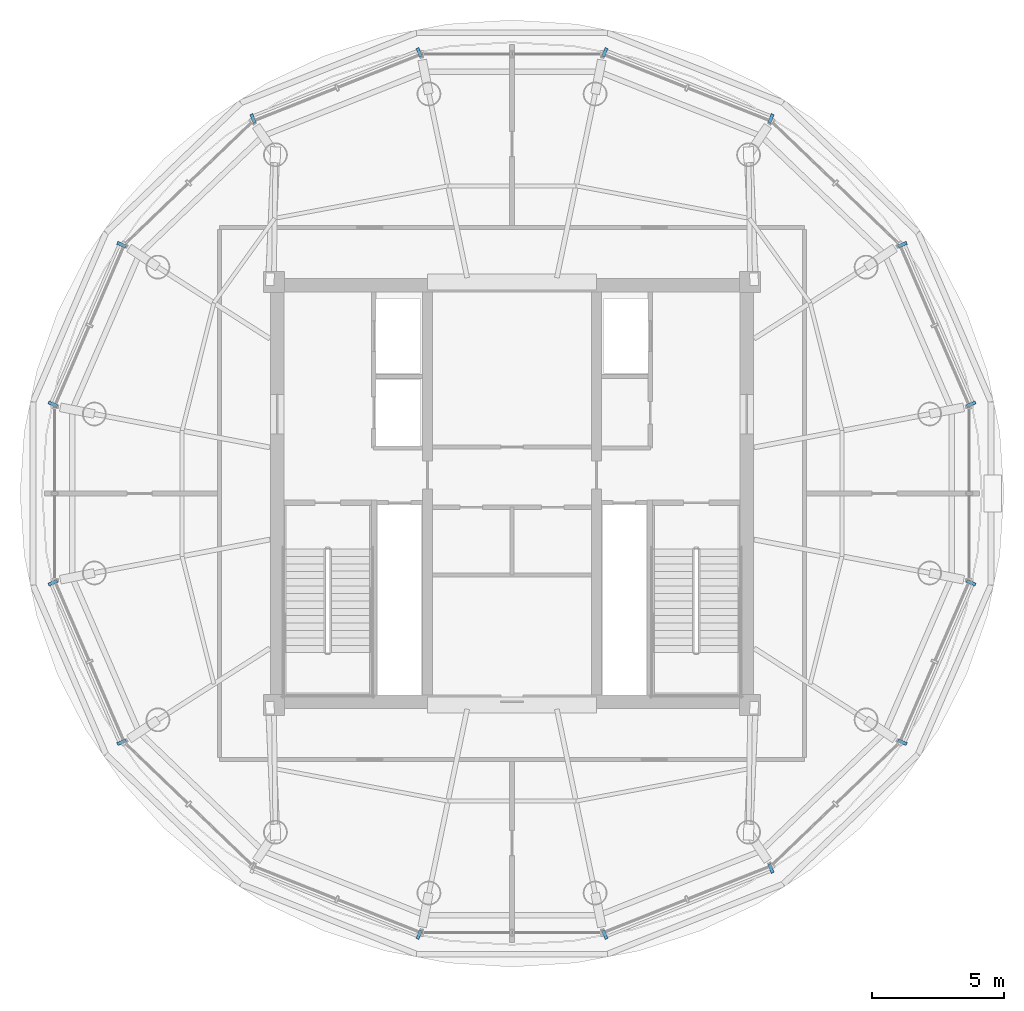
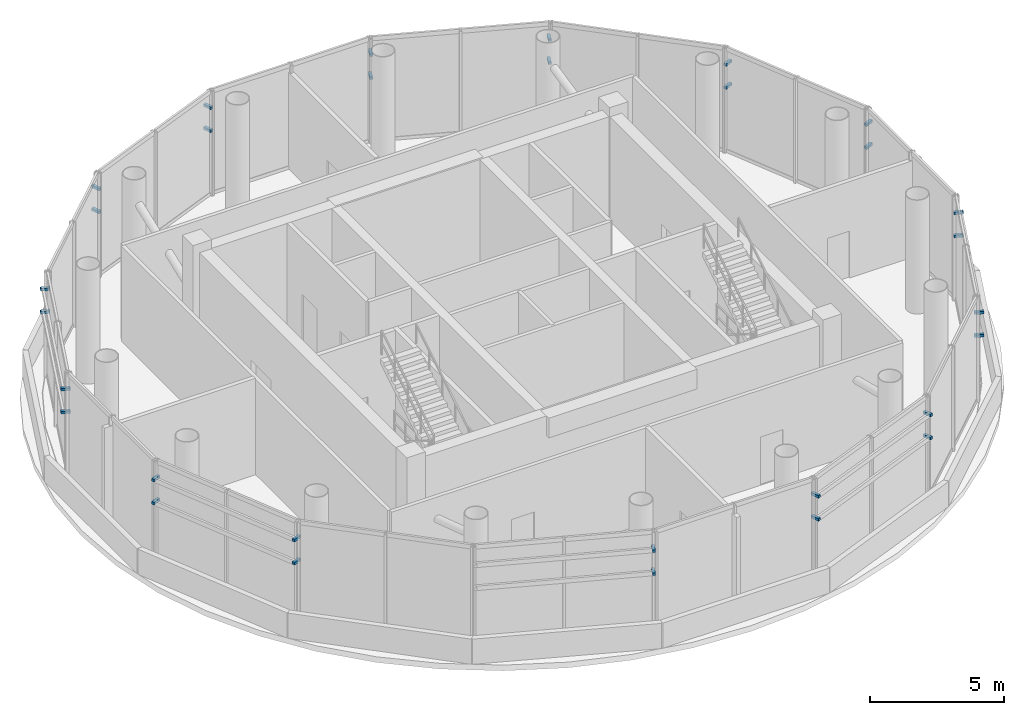
# One storey, part 13 of 15: 30 discrete accessories.
"""IFC4 building model written with IfcOpenShell, lengths in metres."""

import ifcopenshell
import ifcopenshell.guid

model = None  # the IFC model being written
_history = None  # IfcOwnerHistory: only IFC2X3 demands one
_inside = {}  # id of a spatial element -> (the spatial element, [elements in it])
_under = {}  # id of a project, library or spatial element -> (it, [spatial elements below it])
_declared = {}  # id of a project -> (the project, [libraries it declares])
_typed = {}  # id of a type object -> (the type object, [elements of that type])
_made_of = {}  # id of a material, layer set ... -> (it, [elements and type objects made of it])


def new_model(schema):
    """Start an empty IFC model of exactly this schema.

    Asked for "IFC4X3", IfcOpenShell would pick the latest addendum, in which some entities
    have other attributes; the version numbers below select the first issue.
    IFC2X3 requires an IfcOwnerHistory on every rooted entity: one is made here for all.
    """
    global model, _history
    if schema == "IFC4X3":
        model = ifcopenshell.file(schema_version=(4, 3, 0, 0))
    else:
        model = ifcopenshell.file(schema=schema)
    _inside.clear()
    _under.clear()
    _declared.clear()
    _typed.clear()
    _made_of.clear()
    _history = None
    if model.schema == "IFC2X3":
        org = make("IfcOrganization", Name="unknown")
        user = make(
            "IfcPersonAndOrganization",
            ThePerson=make("IfcPerson", FamilyName="unknown"),
            TheOrganization=org,
        )
        app = make(
            "IfcApplication",
            ApplicationDeveloper=org,
            Version="unknown",
            ApplicationFullName="unknown",
            ApplicationIdentifier="unknown",
        )
        _history = make(
            "IfcOwnerHistory",
            OwningUser=user,
            OwningApplication=app,
            ChangeAction="ADDED",
            CreationDate=0,
        )
    return model


def make(cls, **values):
    """One entity of the class cls with the attributes given. An attribute that is None is left unset."""
    return model.create_entity(
        cls, **{name: value for name, value in values.items() if value is not None}
    )


def rooted(cls, **values):
    """An entity with a GlobalId (a new one), such as an element, a storey or a relation."""
    return make(cls, GlobalId=ifcopenshell.guid.new(), OwnerHistory=_history, **values)


def si_unit(unit_type, name, prefix=None):
    """IfcSIUnit, for example si_unit("LENGTHUNIT", "METRE", prefix="MILLI")."""
    return make("IfcSIUnit", UnitType=unit_type, Prefix=prefix, Name=name)


def assignment(units):
    """IfcUnitAssignment: the units of a project."""
    return None if units is None else make("IfcUnitAssignment", Units=units)


def point(xyz):
    """IfcCartesianPoint."""
    return None if xyz is None else make("IfcCartesianPoint", Coordinates=xyz)


def direction(xyz):
    """IfcDirection."""
    return None if xyz is None else make("IfcDirection", DirectionRatios=xyz)


def frame(location, z_axis=None, x_axis=None):
    """IfcAxis2Placement3D, a coordinate frame: its origin and axes. An axis left out is left unset."""
    return make(
        "IfcAxis2Placement3D",
        Location=point(location),
        Axis=direction(z_axis),
        RefDirection=direction(x_axis),
    )


def frame_2d(location, x_axis=None):
    """IfcAxis2Placement2D, a coordinate frame in the plane: its origin and x axis."""
    return make(
        "IfcAxis2Placement2D", Location=point(location), RefDirection=direction(x_axis)
    )


def origin():
    """The frame at (0, 0, 0) with its axes left unset."""
    return frame((0.0, 0.0, 0.0))


def origin_2d():
    """The frame at (0, 0) in the plane with its x axis left unset."""
    return frame_2d((0.0, 0.0))


def place(relative_to, where):
    """IfcLocalPlacement: puts the frame where relative to a parent placement (None: the world)."""
    return make(
        "IfcLocalPlacement", PlacementRelTo=relative_to, RelativePlacement=where
    )


def context(
    kind, dimensions, precision=None, world=None, true_north=None, identifier=None
):
    """IfcGeometricRepresentationContext, for example the 3D "Model" context."""
    return make(
        "IfcGeometricRepresentationContext",
        ContextIdentifier=identifier,
        ContextType=kind,
        CoordinateSpaceDimension=dimensions,
        Precision=precision,
        WorldCoordinateSystem=world,
        TrueNorth=true_north,
    )


def subcontext(parent, identifier, kind, view, scale=None):
    """IfcGeometricRepresentationSubContext, for example "Body" below "Model"."""
    return make(
        "IfcGeometricRepresentationSubContext",
        ContextIdentifier=identifier,
        ContextType=kind,
        ParentContext=parent,
        TargetScale=scale,
        TargetView=view,
    )


def project(units=None, contexts=None):
    """IfcProject with its units and contexts."""
    return rooted(
        "IfcProject",
        Name="project",
        RepresentationContexts=contexts,
        UnitsInContext=assignment(units),
    )


def spatial(cls, under=None, at=None, **own):
    """A site, building, storey or space (cls), placed at a placement, below another one or the project."""
    s = rooted(cls, ObjectPlacement=at, **own)
    if under is not None:
        _under.setdefault(under.id(), (under, []))[1].append(s)
    return s


def profile(cls, at=None, kind="AREA", **sizes):
    """A parametric profile (cls). Its sizes go by their IFC names, for example OverallWidth=200.0."""
    return make(cls, ProfileType=kind, Position=at, **sizes)


def rectangle(**sizes):
    """IfcRectangleProfileDef."""
    return profile("IfcRectangleProfileDef", **sizes)


def extrude(swept, where, along, depth):
    """IfcExtrudedAreaSolid: the profile swept, set in the frame where, extruded along a direction by depth."""
    return make(
        "IfcExtrudedAreaSolid",
        SweptArea=swept,
        Position=where,
        ExtrudedDirection=direction(along),
        Depth=depth,
    )


def shape(context_of_items, identifier, shape_type, items):
    """IfcShapeRepresentation: the items that make up one representation, for example the "Body"."""
    return make(
        "IfcShapeRepresentation",
        ContextOfItems=context_of_items,
        RepresentationIdentifier=identifier,
        RepresentationType=shape_type,
        Items=items,
    )


def source(mapping_origin, context_of_items, identifier, shape_type, items):
    """IfcRepresentationMap: a shape defined once, which mapped items show again and again."""
    return make(
        "IfcRepresentationMap",
        MappingOrigin=mapping_origin,
        MappedRepresentation=shape(context_of_items, identifier, shape_type, items),
    )


def transform(
    local_origin,
    x_axis=None,
    y_axis=None,
    z_axis=None,
    scale=None,
    scale2=None,
    scale3=None,
    uniform=True,
):
    """IfcCartesianTransformationOperator3D, or its non-uniform kind. x_axis, y_axis, z_axis: its Axis1, 2, 3."""
    if uniform:
        return make(
            "IfcCartesianTransformationOperator3D",
            Axis1=direction(x_axis),
            Axis2=direction(y_axis),
            LocalOrigin=point(local_origin),
            Scale=scale,
            Axis3=direction(z_axis),
        )
    return make(
        "IfcCartesianTransformationOperator3DnonUniform",
        Axis1=direction(x_axis),
        Axis2=direction(y_axis),
        LocalOrigin=point(local_origin),
        Scale=scale,
        Axis3=direction(z_axis),
        Scale2=scale2,
        Scale3=scale3,
    )


def mapped(mapping_source, mapping_target):
    """IfcMappedItem: shows the shape of a source again, moved by a transform."""
    return make(
        "IfcMappedItem", MappingSource=mapping_source, MappingTarget=mapping_target
    )


def material(Name=None, Category=None):
    """IfcMaterial."""
    return make("IfcMaterial", Name=Name, Category=Category)


def layer(
    of_material, thickness, ventilated=None, Name=None, Category=None, Priority=None
):
    """IfcMaterialLayer: one layer of a wall or slab, of a material (None: an air gap)."""
    return make(
        "IfcMaterialLayer",
        Material=of_material,
        LayerThickness=thickness,
        IsVentilated=ventilated,
        Name=Name,
        Category=Category,
        Priority=Priority,
    )


def layer_set(layers, Name=None):
    """IfcMaterialLayerSet."""
    return make("IfcMaterialLayerSet", MaterialLayers=layers, LayerSetName=Name)


def made_of(thing, what):
    """Note that an element or type object is made of a material, layer set ...; save() writes the relation."""
    if what is not None:
        _made_of.setdefault(what.id(), (what, []))[1].append(thing)
    return thing


def type_object(cls, material=None, **own):
    """A type object (cls), such as IfcWallType, which elements share."""
    return made_of(rooted(cls, **own), material)


def element(
    cls,
    number,
    at=None,
    inside=None,
    cuts=None,
    type_object=None,
    material=None,
    context=None,
    identifier="Body",
    shape_type=None,
    held_by="IfcProductDefinitionShape",
    body=None,
    shapes=None,
    **own,
):
    """One element of the class cls, such as IfcWall. Its Tag is "e" and its number.

    at: its placement. inside: the storey or other place that contains it. cuts: it is an
    opening in that element (IfcRelVoidsElement). A single representation is given by context,
    identifier, shape_type and body (its items); several are given by shapes. held_by: the class
    of the entity that holds the representations. save() writes the other relations.
    """
    e = rooted(cls, Tag="e%d" % number, ObjectPlacement=at, **own)
    if body is not None:
        shapes = [shape(context, identifier, shape_type, body)]
    if shapes is not None:
        e.Representation = make(held_by, Representations=shapes)
    if inside is not None:
        _inside.setdefault(inside.id(), (inside, []))[1].append(e)
    if cuts is not None:
        rooted(
            "IfcRelVoidsElement", RelatingBuildingElement=cuts, RelatedOpeningElement=e
        )
    if type_object is not None:
        _typed.setdefault(type_object.id(), (type_object, []))[1].append(e)
    return made_of(e, material)


def aggregate(whole, parts):
    """IfcRelAggregates: a whole, such as a stair, and the parts it consists of."""
    return rooted("IfcRelAggregates", RelatingObject=whole, RelatedObjects=parts)


def save(model, path):
    """Write the relations noted so far, then the file.

    IfcRelAggregates (storeys below a building ...), IfcRelContainedInSpatialStructure (elements
    in a storey), IfcRelDefinesByType, IfcRelAssociatesMaterial and IfcRelDeclares: one each for
    every whole, place, type object, material and project.
    """
    for whole, parts in _under.values():
        aggregate(whole, parts)
    for where, things in _inside.values():
        rooted(
            "IfcRelContainedInSpatialStructure",
            RelatedElements=things,
            RelatingStructure=where,
        )
    for kind, things in _typed.values():
        rooted("IfcRelDefinesByType", RelatedObjects=things, RelatingType=kind)
    for what, things in _made_of.values():
        rooted("IfcRelAssociatesMaterial", RelatedObjects=things, RelatingMaterial=what)
    for by, libraries in _declared.values():
        rooted("IfcRelDeclares", RelatingContext=by, RelatedDefinitions=libraries)
    model.write(path)


model = new_model("IFC4")

# Units and contexts
model_context = context("Model", 3, precision=1e-05, world=origin(), true_north=direction((-0.2419218956, 0.970295726276)))
body_context = subcontext(model_context, "Body", "Model", "MODEL_VIEW")
ifc_project = project(units=[si_unit("LENGTHUNIT", "METRE"), si_unit("AREAUNIT", "SQUARE_METRE"), si_unit("VOLUMEUNIT", "CUBIC_METRE"), si_unit("PLANEANGLEUNIT", "RADIAN"), si_unit("MASSUNIT", "GRAM", prefix="KILO")], contexts=[model_context])

# Site, building, storey
site_placement = place(None, origin())
site = spatial("IfcSite", under=ifc_project, at=site_placement, CompositionType="ELEMENT")
building_placement = place(site_placement, origin())
building = spatial("IfcBuilding", under=site, at=building_placement, Name="Cobrevalo Terracotta Tower", CompositionType="ELEMENT")
storey_placement = place(building_placement, frame((0.0, 0.0, 306.10009765625)))
storey = spatial("IfcBuildingStorey", under=building, at=storey_placement, Name="L80", CompositionType="ELEMENT", Elevation=306.10009765625)

# Discrete accessories
ifc_material = material(Name="Brushed stainless steel", Category="steel")
ifc_layer = layer(ifc_material, 0.1201171875)
ifc_layer_set = layer_set([ifc_layer], Name="Brushed stainless steel")
discrete_accessory_type = type_object("IfcDiscreteAccessoryType", Name="Stainless Steel Facade & Canopy Support Bracket", PredefinedType="BRACKET", material=ifc_layer_set)
shared_shape = source(origin(), body_context, "Body", "SweptSolid", [
    extrude(rectangle(XDim=0.1201171875, YDim=0.360107421875, at=origin_2d()), origin(), (0.0, 0.0, 1.0), 0.1201171875),
])
for number, where, z_axis, x_axis, name in (
    (1, (55.358154296875, 30.17529296875, 2.903564453125), (0.0, 0.0, 1.0), (-0.396066411085, 0.91822186753, 0.0), "CW-CRN-L80-S01 stainless baguette support bracket 1-A"),
    (2, (52.75732421875, 36.204833984375, 2.903564453125), (0.0, 0.0, 1.0), (-0.396066411085, 0.91822186753, 0.0), "CW-CRN-L80-S01 stainless baguette support bracket 1-B"),
    (3, (55.358154296875, 30.17529296875, 3.955078125), (0.0, 0.0, 1.0), (-0.396066411085, 0.91822186753, 0.0), "CW-CRN-L80-S01 stainless baguette support bracket 2-A"),
    (4, (52.75732421875, 36.204833984375, 3.955078125), (0.0, 0.0, 1.0), (-0.396066411085, 0.91822186753, 0.0), "CW-CRN-L80-S01 stainless baguette support bracket 2-B"),
    (5, (47.790771484375, 40.97509765625, 2.903564453125), (0.0, 0.0, 1.0), (-0.929190639756, 0.36960080491, 0.0), "CW-CRN-L80-S03 stainless baguette support bracket 1-A"),
    (6, (41.509765625, 43.4736328125, 2.903564453125), (0.0, 0.0, 1.0), (-0.929190639756, 0.36960080491, 0.0), "CW-CRN-L80-S03 stainless baguette support bracket 1-B"),
    (7, (47.790771484375, 40.97509765625, 3.955078125), (0.0, 0.0, 1.0), (-0.929190639756, 0.36960080491, 0.0), "CW-CRN-L80-S03 stainless baguette support bracket 2-A"),
    (8, (41.509765625, 43.4736328125, 3.955078125), (0.0, 0.0, 1.0), (-0.929190639756, 0.36960080491, 0.0), "CW-CRN-L80-S03 stainless baguette support bracket 2-B"),
    (9, (34.490234375, 43.4736328125, 2.903564453125), (0.0, 0.0, 1.0), (-0.929190639756, -0.36960080491, 0.0), "CW-CRN-L80-S05 stainless baguette support bracket 1-A"),
    (10, (28.209228515625, 40.97509765625, 2.903564453125), (0.0, 0.0, 1.0), (-0.929190639756, -0.36960080491, 0.0), "CW-CRN-L80-S05 stainless baguette support bracket 1-B"),
    (11, (34.490234375, 43.4736328125, 3.955078125), (0.0, 0.0, 1.0), (-0.929190639756, -0.36960080491, 0.0), "CW-CRN-L80-S05 stainless baguette support bracket 2-A"),
    (12, (28.209228515625, 40.97509765625, 3.955078125), (0.0, 0.0, 1.0), (-0.929190639756, -0.36960080491, 0.0), "CW-CRN-L80-S05 stainless baguette support bracket 2-B"),
    (13, (23.24267578125, 36.204833984375, 2.903564453125), (0.0, 0.0, 1.0), (-0.396066411085, -0.91822186753, 0.0), "CW-CRN-L80-S07 stainless baguette support bracket 1-A"),
    (14, (20.641845703125, 30.17529296875, 2.903564453125), (0.0, 0.0, 1.0), (-0.396066411085, -0.91822186753, 0.0), "CW-CRN-L80-S07 stainless baguette support bracket 1-B"),
    (15, (23.24267578125, 36.204833984375, 3.955078125), (0.0, 0.0, 1.0), (-0.396066411085, -0.91822186753, 0.0), "CW-CRN-L80-S07 stainless baguette support bracket 2-A"),
    (16, (20.641845703125, 30.17529296875, 3.955078125), (0.0, 0.0, 1.0), (-0.396066411085, -0.91822186753, 0.0), "CW-CRN-L80-S07 stainless baguette support bracket 2-B"),
    (17, (20.641845703125, 23.4248046875, 2.903564453125), (0.0, 0.0, 1.0), (0.396066411085, -0.91822186753, 0.0), "CW-CRN-L80-S09 stainless baguette support bracket 1-A"),
    (18, (23.24267578125, 17.395263671875, 2.903564453125), (0.0, 0.0, 1.0), (0.396066411085, -0.91822186753, 0.0), "CW-CRN-L80-S09 stainless baguette support bracket 1-B"),
    (19, (20.641845703125, 23.4248046875, 3.955078125), (0.0, 0.0, 1.0), (0.396066411085, -0.91822186753, 0.0), "CW-CRN-L80-S09 stainless baguette support bracket 2-A"),
    (20, (23.24267578125, 17.395263671875, 3.955078125), (0.0, 0.0, 1.0), (0.396066411085, -0.91822186753, 0.0), "CW-CRN-L80-S09 stainless baguette support bracket 2-B"),
    (21, (34.490234375, 10.12646484375, 2.903564453125), (0.0, 0.0, 1.0), (0.929190639756, -0.36960080491, 0.0), "CW-CRN-L80-S11 stainless baguette support bracket 1-B"),
    (22, (34.490234375, 10.12646484375, 3.955078125), (0.0, 0.0, 1.0), (0.929190639756, -0.36960080491, 0.0), "CW-CRN-L80-S11 stainless baguette support bracket 2-B"),
    (23, (41.509765625, 10.12646484375, 2.903564453125), (0.0, 0.0, 1.0), (0.929190639756, 0.36960080491, 0.0), "CW-CRN-L80-S13 stainless baguette support bracket 1-A"),
    (24, (47.790771484375, 12.624755859375, 2.903564453125), (0.0, 0.0, 1.0), (0.929190639756, 0.36960080491, 0.0), "CW-CRN-L80-S13 stainless baguette support bracket 1-B"),
    (25, (41.509765625, 10.12646484375, 3.955078125), (0.0, 0.0, 1.0), (0.929190639756, 0.36960080491, 0.0), "CW-CRN-L80-S13 stainless baguette support bracket 2-A"),
    (26, (47.790771484375, 12.624755859375, 3.955078125), (0.0, 0.0, 1.0), (0.929190639756, 0.36960080491, 0.0), "CW-CRN-L80-S13 stainless baguette support bracket 2-B"),
    (27, (52.75732421875, 17.395263671875, 2.903564453125), (0.0, 0.0, 1.0), (0.396066411085, 0.91822186753, 0.0), "CW-CRN-L80-S15 stainless baguette support bracket 1-A"),
    (28, (55.358154296875, 23.4248046875, 2.903564453125), (0.0, 0.0, 1.0), (0.396066411085, 0.91822186753, 0.0), "CW-CRN-L80-S15 stainless baguette support bracket 1-B"),
    (29, (52.75732421875, 17.395263671875, 3.955078125), (0.0, 0.0, 1.0), (0.396066411085, 0.91822186753, 0.0), "CW-CRN-L80-S15 stainless baguette support bracket 2-A"),
    (30, (55.358154296875, 23.4248046875, 3.955078125), (0.0, 0.0, 1.0), (0.396066411085, 0.91822186753, 0.0), "CW-CRN-L80-S15 stainless baguette support bracket 2-B"),
):
    element("IfcDiscreteAccessory", number, at=place(storey_placement, frame(where, z_axis=z_axis, x_axis=x_axis)), inside=storey, type_object=discrete_accessory_type, Name=name, PredefinedType="BRACKET", context=body_context, shape_type="MappedRepresentation", body=[
        mapped(shared_shape, transform((0.0, 0.0, 0.0), scale=1.0)),
    ])

save(model, "model.ifc")
